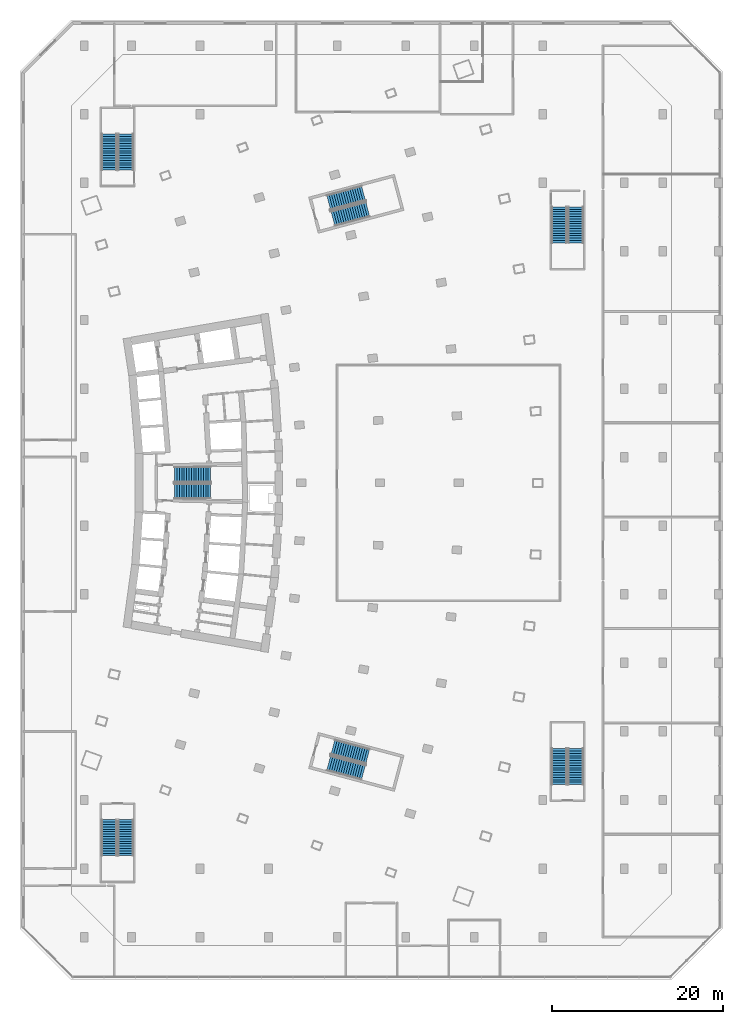
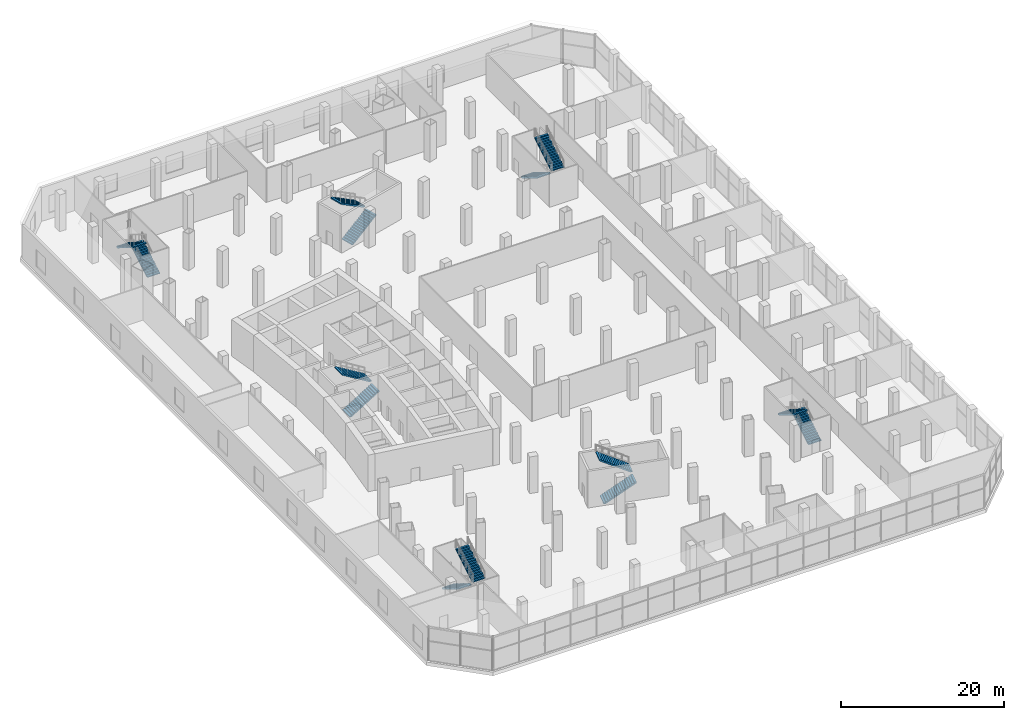
# One storey, part 19 of 26: 14 stair flights, 7 elements without a shape of their own.
"""IFC4 building model written with IfcOpenShell, lengths in metres."""

from ifc_helpers import new_model, si_unit, direction, frame, origin, place, context, subcontext, project, spatial, polyline, outline, extrude, material, layer, layer_set, type_object, element, aggregate, save


model = new_model("IFC4")

# Units and contexts
model_context = context("Model", 3, precision=1e-05, world=origin(), true_north=direction((0.0, 1.0)))
body_context = subcontext(model_context, "Body", "Model", "MODEL_VIEW")
ifc_project = project(units=[si_unit("LENGTHUNIT", "METRE"), si_unit("AREAUNIT", "SQUARE_METRE"), si_unit("VOLUMEUNIT", "CUBIC_METRE"), si_unit("PLANEANGLEUNIT", "RADIAN"), si_unit("MASSUNIT", "GRAM", prefix="KILO")], contexts=[model_context])

# Site, building, storey
site_placement = place(None, origin())
site = spatial("IfcSite", under=ifc_project, at=site_placement, CompositionType="ELEMENT")
building_placement = place(site_placement, origin())
building = spatial("IfcBuilding", under=site, at=building_placement, Name="Alderwake Tower", CompositionType="ELEMENT")
storey_placement = place(building_placement, frame((0.0, 0.0, 8.0)))
storey = spatial("IfcBuildingStorey", under=building, at=storey_placement, Name="L01", CompositionType="ELEMENT", Elevation=8.0)

# Stair, stair flights
ifc_material_1 = material(Name="Concrete C40/50", Category="concrete")
stair_type_1 = type_object("IfcStairType", Name="Core exit stair", PredefinedType="HALF_TURN_STAIR", material=ifc_material_1)
stair_1_placement = place(storey_placement, origin())
stair_1 = element("IfcStair", 1, at=stair_1_placement, inside=storey, type_object=stair_type_1, Name="L01 Exit Stair B", PredefinedType="HALF_TURN_STAIR")
ifc_material_2 = material(Name="Concrete C40/50", Category="concrete")
ifc_layer = layer(ifc_material_2, 0.14990234375)
ifc_layer_set = layer_set([ifc_layer], Name="Core stair flight")
stair_flight_type = type_object("IfcStairFlightType", Name="Core stair flight", PredefinedType="STRAIGHT", material=ifc_layer_set)
stair_flight_1_placement = place(storey_placement, frame((21.0400390625, 60.02490234375, 0.0), z_axis=(0.0, 0.0, 1.0), x_axis=(1.0, 0.0, 0.0)))
stair_flight_1 = element("IfcStairFlight", 2, at=stair_flight_1_placement, type_object=stair_flight_type, Name="ST-B flight 1", NumberOfRisers=16, NumberOfTreads=15, PredefinedType="STRAIGHT", RiserHeight=0.171875, TreadLength=0.28, context=body_context, shape_type="SweptSolid", body=[
    extrude(outline(polyline([(0.0, 0.0), (0.0, 0.171875), (0.280029296875, 0.171875), (0.280029296875, 0.34375), (0.56005859375, 0.34375), (0.56005859375, 0.515625), (0.840087890625, 0.515625), (0.840087890625, 0.6875), (1.1201171875, 0.6875), (1.1201171875, 0.859375), (1.39990234375, 0.859375), (1.39990234375, 1.03125), (1.679931640625, 1.03125), (1.679931640625, 1.203125), (1.9599609375, 1.203125), (1.9599609375, 1.375), (2.239990234375, 1.375), (2.239990234375, 1.546875), (2.52001953125, 1.546875), (2.52001953125, 1.71875), (2.800048828125, 1.71875), (2.800048828125, 1.890625), (3.080078125, 1.890625), (3.080078125, 2.0625), (3.360107421875, 2.0625), (3.360107421875, 2.234375), (3.639892578125, 2.234375), (3.639892578125, 2.40625), (3.919921875, 2.40625), (3.919921875, 2.578125), (4.199951171875, 2.578125), (4.199951171875, 2.75), (4.199951171875, 2.40234375), (0.28662109375, 0.0), (0.0, 0.0)])), frame((0.0, 0.89990234375, 0.0), z_axis=(0.0, -1.0, 0.0), x_axis=(1.0, 0.0, 0.0)), (0.0, 0.0, 1.0), 1.800048828125),
])
stair_flight_2_placement = place(storey_placement, frame((25.239990234375, 61.97509765625, 2.75), z_axis=(0.0, 0.0, 1.0), x_axis=(-1.0, 0.0, 0.0)))
stair_flight_2 = element("IfcStairFlight", 3, at=stair_flight_2_placement, type_object=stair_flight_type, Name="ST-B flight 2", NumberOfRisers=16, NumberOfTreads=15, PredefinedType="STRAIGHT", RiserHeight=0.171875, TreadLength=0.28, context=body_context, shape_type="SweptSolid", body=[
    extrude(outline(polyline([(0.0, 0.0), (0.0, 0.171875), (0.280029296875, 0.171875), (0.280029296875, 0.34375), (0.56005859375, 0.34375), (0.56005859375, 0.515625), (0.840087890625, 0.515625), (0.840087890625, 0.6875), (1.1201171875, 0.6875), (1.1201171875, 0.859375), (1.39990234375, 0.859375), (1.39990234375, 1.03125), (1.679931640625, 1.03125), (1.679931640625, 1.203125), (1.9599609375, 1.203125), (1.9599609375, 1.375), (2.239990234375, 1.375), (2.239990234375, 1.546875), (2.52001953125, 1.546875), (2.52001953125, 1.71875), (2.800048828125, 1.71875), (2.800048828125, 1.890625), (3.080078125, 1.890625), (3.080078125, 2.0625), (3.360107421875, 2.0625), (3.360107421875, 2.234375), (3.639892578125, 2.234375), (3.639892578125, 2.40625), (3.919921875, 2.40625), (3.919921875, 2.578125), (4.199951171875, 2.578125), (4.199951171875, 2.75), (4.199951171875, 2.40234375), (0.28662109375, 0.0), (0.0, 0.0)])), frame((0.0, 0.89990234375, 0.0), z_axis=(0.0, -1.0, 0.0), x_axis=(1.0, 0.0, 0.0)), (0.0, 0.0, 1.0), 1.800048828125),
])
aggregate(stair_1, [stair_flight_1, stair_flight_2])

stair_2_placement = place(storey_placement, origin())
stair_2 = element("IfcStair", 4, at=stair_2_placement, inside=storey, type_object=stair_type_1, Name="L01 Exit Stair A", PredefinedType="HALF_TURN_STAIR")
stair_flight_3_placement = place(storey_placement, frame((39.512939453125, 91.823974609375, 0.0), z_axis=(0.0, 0.0, 1.0), x_axis=(0.966309627437, 0.257382407951, 0.0)))
stair_flight_3 = element("IfcStairFlight", 5, at=stair_flight_3_placement, type_object=stair_flight_type, Name="ST-A flight 1", NumberOfRisers=16, NumberOfTreads=15, PredefinedType="STRAIGHT", RiserHeight=0.171875, TreadLength=0.28, context=body_context, shape_type="SweptSolid", body=[
    extrude(outline(polyline([(0.0, 0.0), (0.0, 0.171875), (0.280029296875, 0.171875), (0.280029296875, 0.34375), (0.56005859375, 0.34375), (0.56005859375, 0.515625), (0.840087890625, 0.515625), (0.840087890625, 0.6875), (1.1201171875, 0.6875), (1.1201171875, 0.859375), (1.39990234375, 0.859375), (1.39990234375, 1.03125), (1.679931640625, 1.03125), (1.679931640625, 1.203125), (1.9599609375, 1.203125), (1.9599609375, 1.375), (2.239990234375, 1.375), (2.239990234375, 1.546875), (2.52001953125, 1.546875), (2.52001953125, 1.71875), (2.800048828125, 1.71875), (2.800048828125, 1.890625), (3.080078125, 1.890625), (3.080078125, 2.0625), (3.360107421875, 2.0625), (3.360107421875, 2.234375), (3.639892578125, 2.234375), (3.639892578125, 2.40625), (3.919921875, 2.40625), (3.919921875, 2.578125), (4.199951171875, 2.578125), (4.199951171875, 2.75), (4.199951171875, 2.40234375), (0.28662109375, 0.0), (0.0, 0.0)])), frame((0.0, 0.89990234375, 0.0), z_axis=(0.0, -1.0, 0.0), x_axis=(1.0, 0.0, 0.0)), (0.0, 0.0, 1.0), 1.800048828125),
])
stair_flight_4_placement = place(storey_placement, frame((43.069580078125, 94.789306640625, 2.75), z_axis=(0.0, 0.0, 1.0), x_axis=(-0.966309627437, -0.257382407951, 0.0)))
stair_flight_4 = element("IfcStairFlight", 6, at=stair_flight_4_placement, type_object=stair_flight_type, Name="ST-A flight 2", NumberOfRisers=16, NumberOfTreads=15, PredefinedType="STRAIGHT", RiserHeight=0.171875, TreadLength=0.28, context=body_context, shape_type="SweptSolid", body=[
    extrude(outline(polyline([(0.0, 0.0), (0.0, 0.171875), (0.280029296875, 0.171875), (0.280029296875, 0.34375), (0.56005859375, 0.34375), (0.56005859375, 0.515625), (0.840087890625, 0.515625), (0.840087890625, 0.6875), (1.1201171875, 0.6875), (1.1201171875, 0.859375), (1.39990234375, 0.859375), (1.39990234375, 1.03125), (1.679931640625, 1.03125), (1.679931640625, 1.203125), (1.9599609375, 1.203125), (1.9599609375, 1.375), (2.239990234375, 1.375), (2.239990234375, 1.546875), (2.52001953125, 1.546875), (2.52001953125, 1.71875), (2.800048828125, 1.71875), (2.800048828125, 1.890625), (3.080078125, 1.890625), (3.080078125, 2.0625), (3.360107421875, 2.0625), (3.360107421875, 2.234375), (3.639892578125, 2.234375), (3.639892578125, 2.40625), (3.919921875, 2.40625), (3.919921875, 2.578125), (4.199951171875, 2.578125), (4.199951171875, 2.75), (4.199951171875, 2.40234375), (0.28662109375, 0.0), (0.0, 0.0)])), frame((0.0, 0.89990234375, 0.0), z_axis=(0.0, -1.0, 0.0), x_axis=(1.0, 0.0, 0.0)), (0.0, 0.0, 1.0), 1.800048828125),
])
aggregate(stair_2, [stair_flight_3, stair_flight_4])

stair_3_placement = place(storey_placement, origin())
stair_3 = element("IfcStair", 7, at=stair_3_placement, inside=storey, type_object=stair_type_1, Name="L01 Exit Stair C", PredefinedType="HALF_TURN_STAIR")
stair_flight_5_placement = place(storey_placement, frame((39.010986328125, 28.291748046875, 0.0), z_axis=(0.0, 0.0, 1.0), x_axis=(0.966309627437, -0.257382407951, 0.0)))
stair_flight_5 = element("IfcStairFlight", 8, at=stair_flight_5_placement, type_object=stair_flight_type, Name="ST-C flight 1", NumberOfRisers=16, NumberOfTreads=15, PredefinedType="STRAIGHT", RiserHeight=0.171875, TreadLength=0.28, context=body_context, shape_type="SweptSolid", body=[
    extrude(outline(polyline([(0.0, 0.0), (0.0, 0.171875), (0.280029296875, 0.171875), (0.280029296875, 0.34375), (0.56005859375, 0.34375), (0.56005859375, 0.515625), (0.840087890625, 0.515625), (0.840087890625, 0.6875), (1.1201171875, 0.6875), (1.1201171875, 0.859375), (1.39990234375, 0.859375), (1.39990234375, 1.03125), (1.679931640625, 1.03125), (1.679931640625, 1.203125), (1.9599609375, 1.203125), (1.9599609375, 1.375), (2.239990234375, 1.375), (2.239990234375, 1.546875), (2.52001953125, 1.546875), (2.52001953125, 1.71875), (2.800048828125, 1.71875), (2.800048828125, 1.890625), (3.080078125, 1.890625), (3.080078125, 2.0625), (3.360107421875, 2.0625), (3.360107421875, 2.234375), (3.639892578125, 2.234375), (3.639892578125, 2.40625), (3.919921875, 2.40625), (3.919921875, 2.578125), (4.199951171875, 2.578125), (4.199951171875, 2.75), (4.199951171875, 2.40234375), (0.28662109375, 0.0), (0.0, 0.0)])), frame((0.0, 0.89990234375, 0.0), z_axis=(0.0, -1.0, 0.0), x_axis=(1.0, 0.0, 0.0)), (0.0, 0.0, 1.0), 1.800048828125),
])
stair_flight_6_placement = place(storey_placement, frame((43.5712890625, 29.094970703125, 2.75), z_axis=(0.0, 0.0, 1.0), x_axis=(-0.966309627437, 0.257382407951, 0.0)))
stair_flight_6 = element("IfcStairFlight", 9, at=stair_flight_6_placement, type_object=stair_flight_type, Name="ST-C flight 2", NumberOfRisers=16, NumberOfTreads=15, PredefinedType="STRAIGHT", RiserHeight=0.171875, TreadLength=0.28, context=body_context, shape_type="SweptSolid", body=[
    extrude(outline(polyline([(0.0, 0.0), (0.0, 0.171875), (0.280029296875, 0.171875), (0.280029296875, 0.34375), (0.56005859375, 0.34375), (0.56005859375, 0.515625), (0.840087890625, 0.515625), (0.840087890625, 0.6875), (1.1201171875, 0.6875), (1.1201171875, 0.859375), (1.39990234375, 0.859375), (1.39990234375, 1.03125), (1.679931640625, 1.03125), (1.679931640625, 1.203125), (1.9599609375, 1.203125), (1.9599609375, 1.375), (2.239990234375, 1.375), (2.239990234375, 1.546875), (2.52001953125, 1.546875), (2.52001953125, 1.71875), (2.800048828125, 1.71875), (2.800048828125, 1.890625), (3.080078125, 1.890625), (3.080078125, 2.0625), (3.360107421875, 2.0625), (3.360107421875, 2.234375), (3.639892578125, 2.234375), (3.639892578125, 2.40625), (3.919921875, 2.40625), (3.919921875, 2.578125), (4.199951171875, 2.578125), (4.199951171875, 2.75), (4.199951171875, 2.40234375), (0.28662109375, 0.0), (0.0, 0.0)])), frame((0.0, 0.89990234375, 0.0), z_axis=(0.0, -1.0, 0.0), x_axis=(1.0, 0.0, 0.0)), (0.0, 0.0, 1.0), 1.800048828125),
])
aggregate(stair_3, [stair_flight_5, stair_flight_6])

ifc_material_3 = material(Name="Concrete C40/50", Category="concrete")
stair_type_2 = type_object("IfcStairType", Name="Exit stair 1800 half-turn", PredefinedType="HALF_TURN_STAIR", material=ifc_material_3)
stair_4_placement = place(storey_placement, origin())
stair_4 = element("IfcStair", 10, at=stair_4_placement, inside=storey, type_object=stair_type_2, Name="L01 Podium stair P1", PredefinedType="HALF_TURN_STAIR")
stair_flight_7_placement = place(storey_placement, frame((13.39990234375, 21.699951171875, 0.0), z_axis=(0.0, 0.0, 1.0), x_axis=(0.0, -1.0, 0.0)))
stair_flight_7 = element("IfcStairFlight", 11, at=stair_flight_7_placement, type_object=stair_flight_type, Name="ST-P1 flight 1", NumberOfRisers=16, NumberOfTreads=15, PredefinedType="STRAIGHT", RiserHeight=0.171875, TreadLength=0.28, context=body_context, shape_type="SweptSolid", body=[
    extrude(outline(polyline([(0.0, 0.0), (0.0, 0.171875), (0.280029296875, 0.171875), (0.280029296875, 0.34375), (0.56005859375, 0.34375), (0.56005859375, 0.515625), (0.840087890625, 0.515625), (0.840087890625, 0.6875), (1.1201171875, 0.6875), (1.1201171875, 0.859375), (1.39990234375, 0.859375), (1.39990234375, 1.03125), (1.679931640625, 1.03125), (1.679931640625, 1.203125), (1.9599609375, 1.203125), (1.9599609375, 1.375), (2.239990234375, 1.375), (2.239990234375, 1.546875), (2.52001953125, 1.546875), (2.52001953125, 1.71875), (2.800048828125, 1.71875), (2.800048828125, 1.890625), (3.080078125, 1.890625), (3.080078125, 2.0625), (3.360107421875, 2.0625), (3.360107421875, 2.234375), (3.639892578125, 2.234375), (3.639892578125, 2.40625), (3.919921875, 2.40625), (3.919921875, 2.578125), (4.199951171875, 2.578125), (4.199951171875, 2.75), (4.199951171875, 2.40234375), (0.28662109375, 0.0), (0.0, 0.0)])), frame((0.0, 0.89990234375, 0.0), z_axis=(0.0, -1.0, 0.0), x_axis=(1.0, 0.0, 0.0)), (0.0, 0.0, 1.0), 1.800048828125),
])
stair_flight_8_placement = place(storey_placement, frame((15.35009765625, 17.5, 2.75), z_axis=(0.0, 0.0, 1.0), x_axis=(0.0, 1.0, 0.0)))
stair_flight_8 = element("IfcStairFlight", 12, at=stair_flight_8_placement, type_object=stair_flight_type, Name="ST-P1 flight 2", NumberOfRisers=16, NumberOfTreads=15, PredefinedType="STRAIGHT", RiserHeight=0.171875, TreadLength=0.28, context=body_context, shape_type="SweptSolid", body=[
    extrude(outline(polyline([(0.0, 0.0), (0.0, 0.171875), (0.280029296875, 0.171875), (0.280029296875, 0.34375), (0.56005859375, 0.34375), (0.56005859375, 0.515625), (0.840087890625, 0.515625), (0.840087890625, 0.6875), (1.1201171875, 0.6875), (1.1201171875, 0.859375), (1.39990234375, 0.859375), (1.39990234375, 1.03125), (1.679931640625, 1.03125), (1.679931640625, 1.203125), (1.9599609375, 1.203125), (1.9599609375, 1.375), (2.239990234375, 1.375), (2.239990234375, 1.546875), (2.52001953125, 1.546875), (2.52001953125, 1.71875), (2.800048828125, 1.71875), (2.800048828125, 1.890625), (3.080078125, 1.890625), (3.080078125, 2.0625), (3.360107421875, 2.0625), (3.360107421875, 2.234375), (3.639892578125, 2.234375), (3.639892578125, 2.40625), (3.919921875, 2.40625), (3.919921875, 2.578125), (4.199951171875, 2.578125), (4.199951171875, 2.75), (4.199951171875, 2.40234375), (0.28662109375, 0.0), (0.0, 0.0)])), frame((0.0, 0.89990234375, 0.0), z_axis=(0.0, -1.0, 0.0), x_axis=(1.0, 0.0, 0.0)), (0.0, 0.0, 1.0), 1.800048828125),
])
aggregate(stair_4, [stair_flight_7, stair_flight_8])

stair_5_placement = place(storey_placement, origin())
stair_5 = element("IfcStair", 13, at=stair_5_placement, inside=storey, type_object=stair_type_2, Name="L01 Podium stair P2", PredefinedType="HALF_TURN_STAIR")
stair_flight_9_placement = place(storey_placement, frame((15.35009765625, 97.5, 0.0), z_axis=(0.0, 0.0, 1.0), x_axis=(0.0, 1.0, 0.0)))
stair_flight_9 = element("IfcStairFlight", 14, at=stair_flight_9_placement, type_object=stair_flight_type, Name="ST-P2 flight 1", NumberOfRisers=16, NumberOfTreads=15, PredefinedType="STRAIGHT", RiserHeight=0.171875, TreadLength=0.28, context=body_context, shape_type="SweptSolid", body=[
    extrude(outline(polyline([(0.0, 0.0), (0.0, 0.171875), (0.280029296875, 0.171875), (0.280029296875, 0.34375), (0.56005859375, 0.34375), (0.56005859375, 0.515625), (0.840087890625, 0.515625), (0.840087890625, 0.6875), (1.1201171875, 0.6875), (1.1201171875, 0.859375), (1.39990234375, 0.859375), (1.39990234375, 1.03125), (1.679931640625, 1.03125), (1.679931640625, 1.203125), (1.9599609375, 1.203125), (1.9599609375, 1.375), (2.239990234375, 1.375), (2.239990234375, 1.546875), (2.52001953125, 1.546875), (2.52001953125, 1.71875), (2.800048828125, 1.71875), (2.800048828125, 1.890625), (3.080078125, 1.890625), (3.080078125, 2.0625), (3.360107421875, 2.0625), (3.360107421875, 2.234375), (3.639892578125, 2.234375), (3.639892578125, 2.40625), (3.919921875, 2.40625), (3.919921875, 2.578125), (4.199951171875, 2.578125), (4.199951171875, 2.75), (4.199951171875, 2.40234375), (0.28662109375, 0.0), (0.0, 0.0)])), frame((0.0, 0.89990234375, 0.0), z_axis=(0.0, -1.0, 0.0), x_axis=(1.0, 0.0, 0.0)), (0.0, 0.0, 1.0), 1.800048828125),
])
stair_flight_10_placement = place(storey_placement, frame((13.39990234375, 101.699951171875, 2.75), z_axis=(0.0, 0.0, 1.0), x_axis=(0.0, -1.0, 0.0)))
stair_flight_10 = element("IfcStairFlight", 15, at=stair_flight_10_placement, type_object=stair_flight_type, Name="ST-P2 flight 2", NumberOfRisers=16, NumberOfTreads=15, PredefinedType="STRAIGHT", RiserHeight=0.171875, TreadLength=0.28, context=body_context, shape_type="SweptSolid", body=[
    extrude(outline(polyline([(0.0, 0.0), (0.0, 0.171875), (0.280029296875, 0.171875), (0.280029296875, 0.34375), (0.56005859375, 0.34375), (0.56005859375, 0.515625), (0.840087890625, 0.515625), (0.840087890625, 0.6875), (1.1201171875, 0.6875), (1.1201171875, 0.859375), (1.39990234375, 0.859375), (1.39990234375, 1.03125), (1.679931640625, 1.03125), (1.679931640625, 1.203125), (1.9599609375, 1.203125), (1.9599609375, 1.375), (2.239990234375, 1.375), (2.239990234375, 1.546875), (2.52001953125, 1.546875), (2.52001953125, 1.71875), (2.800048828125, 1.71875), (2.800048828125, 1.890625), (3.080078125, 1.890625), (3.080078125, 2.0625), (3.360107421875, 2.0625), (3.360107421875, 2.234375), (3.639892578125, 2.234375), (3.639892578125, 2.40625), (3.919921875, 2.40625), (3.919921875, 2.578125), (4.199951171875, 2.578125), (4.199951171875, 2.75), (4.199951171875, 2.40234375), (0.28662109375, 0.0), (0.0, 0.0)])), frame((0.0, 0.89990234375, 0.0), z_axis=(0.0, -1.0, 0.0), x_axis=(1.0, 0.0, 0.0)), (0.0, 0.0, 1.0), 1.800048828125),
])
aggregate(stair_5, [stair_flight_9, stair_flight_10])

stair_6_placement = place(storey_placement, origin())
stair_6 = element("IfcStair", 16, at=stair_6_placement, inside=storey, type_object=stair_type_2, Name="L01 Podium stair P3", PredefinedType="HALF_TURN_STAIR")
stair_flight_11_placement = place(storey_placement, frame((65.89990234375, 93.199951171875, 0.0), z_axis=(0.0, 0.0, 1.0), x_axis=(0.0, -1.0, 0.0)))
stair_flight_11 = element("IfcStairFlight", 17, at=stair_flight_11_placement, type_object=stair_flight_type, Name="ST-P3 flight 1", NumberOfRisers=16, NumberOfTreads=15, PredefinedType="STRAIGHT", RiserHeight=0.171875, TreadLength=0.28, context=body_context, shape_type="SweptSolid", body=[
    extrude(outline(polyline([(0.0, 0.0), (0.0, 0.171875), (0.280029296875, 0.171875), (0.280029296875, 0.34375), (0.56005859375, 0.34375), (0.56005859375, 0.515625), (0.840087890625, 0.515625), (0.840087890625, 0.6875), (1.1201171875, 0.6875), (1.1201171875, 0.859375), (1.39990234375, 0.859375), (1.39990234375, 1.03125), (1.679931640625, 1.03125), (1.679931640625, 1.203125), (1.9599609375, 1.203125), (1.9599609375, 1.375), (2.239990234375, 1.375), (2.239990234375, 1.546875), (2.52001953125, 1.546875), (2.52001953125, 1.71875), (2.800048828125, 1.71875), (2.800048828125, 1.890625), (3.080078125, 1.890625), (3.080078125, 2.0625), (3.360107421875, 2.0625), (3.360107421875, 2.234375), (3.639892578125, 2.234375), (3.639892578125, 2.40625), (3.919921875, 2.40625), (3.919921875, 2.578125), (4.199951171875, 2.578125), (4.199951171875, 2.75), (4.199951171875, 2.40234375), (0.28662109375, 0.0), (0.0, 0.0)])), frame((0.0, 0.89990234375, 0.0), z_axis=(0.0, -1.0, 0.0), x_axis=(1.0, 0.0, 0.0)), (0.0, 0.0, 1.0), 1.800048828125),
])
stair_flight_12_placement = place(storey_placement, frame((67.85009765625, 89.0, 2.75), z_axis=(0.0, 0.0, 1.0), x_axis=(0.0, 1.0, 0.0)))
stair_flight_12 = element("IfcStairFlight", 18, at=stair_flight_12_placement, type_object=stair_flight_type, Name="ST-P3 flight 2", NumberOfRisers=16, NumberOfTreads=15, PredefinedType="STRAIGHT", RiserHeight=0.171875, TreadLength=0.28, context=body_context, shape_type="SweptSolid", body=[
    extrude(outline(polyline([(0.0, 0.0), (0.0, 0.171875), (0.280029296875, 0.171875), (0.280029296875, 0.34375), (0.56005859375, 0.34375), (0.56005859375, 0.515625), (0.840087890625, 0.515625), (0.840087890625, 0.6875), (1.1201171875, 0.6875), (1.1201171875, 0.859375), (1.39990234375, 0.859375), (1.39990234375, 1.03125), (1.679931640625, 1.03125), (1.679931640625, 1.203125), (1.9599609375, 1.203125), (1.9599609375, 1.375), (2.239990234375, 1.375), (2.239990234375, 1.546875), (2.52001953125, 1.546875), (2.52001953125, 1.71875), (2.800048828125, 1.71875), (2.800048828125, 1.890625), (3.080078125, 1.890625), (3.080078125, 2.0625), (3.360107421875, 2.0625), (3.360107421875, 2.234375), (3.639892578125, 2.234375), (3.639892578125, 2.40625), (3.919921875, 2.40625), (3.919921875, 2.578125), (4.199951171875, 2.578125), (4.199951171875, 2.75), (4.199951171875, 2.40234375), (0.28662109375, 0.0), (0.0, 0.0)])), frame((0.0, 0.89990234375, 0.0), z_axis=(0.0, -1.0, 0.0), x_axis=(1.0, 0.0, 0.0)), (0.0, 0.0, 1.0), 1.800048828125),
])
aggregate(stair_6, [stair_flight_11, stair_flight_12])

stair_7_placement = place(storey_placement, origin())
stair_7 = element("IfcStair", 19, at=stair_7_placement, inside=storey, type_object=stair_type_2, Name="L01 Podium stair P4", PredefinedType="HALF_TURN_STAIR")
stair_flight_13_placement = place(storey_placement, frame((67.85009765625, 25.800048828125, 0.0), z_axis=(0.0, 0.0, 1.0), x_axis=(0.0, 1.0, 0.0)))
stair_flight_13 = element("IfcStairFlight", 20, at=stair_flight_13_placement, type_object=stair_flight_type, Name="ST-P4 flight 1", NumberOfRisers=16, NumberOfTreads=15, PredefinedType="STRAIGHT", RiserHeight=0.171875, TreadLength=0.28, context=body_context, shape_type="SweptSolid", body=[
    extrude(outline(polyline([(0.0, 0.0), (0.0, 0.171875), (0.280029296875, 0.171875), (0.280029296875, 0.34375), (0.56005859375, 0.34375), (0.56005859375, 0.515625), (0.840087890625, 0.515625), (0.840087890625, 0.6875), (1.1201171875, 0.6875), (1.1201171875, 0.859375), (1.39990234375, 0.859375), (1.39990234375, 1.03125), (1.679931640625, 1.03125), (1.679931640625, 1.203125), (1.9599609375, 1.203125), (1.9599609375, 1.375), (2.239990234375, 1.375), (2.239990234375, 1.546875), (2.52001953125, 1.546875), (2.52001953125, 1.71875), (2.800048828125, 1.71875), (2.800048828125, 1.890625), (3.080078125, 1.890625), (3.080078125, 2.0625), (3.360107421875, 2.0625), (3.360107421875, 2.234375), (3.639892578125, 2.234375), (3.639892578125, 2.40625), (3.919921875, 2.40625), (3.919921875, 2.578125), (4.199951171875, 2.578125), (4.199951171875, 2.75), (4.199951171875, 2.40234375), (0.28662109375, 0.0), (0.0, 0.0)])), frame((0.0, 0.89990234375, 0.0), z_axis=(0.0, -1.0, 0.0), x_axis=(1.0, 0.0, 0.0)), (0.0, 0.0, 1.0), 1.800048828125),
])
stair_flight_14_placement = place(storey_placement, frame((65.89990234375, 30.0, 2.75), z_axis=(0.0, 0.0, 1.0), x_axis=(0.0, -1.0, 0.0)))
stair_flight_14 = element("IfcStairFlight", 21, at=stair_flight_14_placement, type_object=stair_flight_type, Name="ST-P4 flight 2", NumberOfRisers=16, NumberOfTreads=15, PredefinedType="STRAIGHT", RiserHeight=0.171875, TreadLength=0.28, context=body_context, shape_type="SweptSolid", body=[
    extrude(outline(polyline([(0.0, 0.0), (0.0, 0.171875), (0.280029296875, 0.171875), (0.280029296875, 0.34375), (0.56005859375, 0.34375), (0.56005859375, 0.515625), (0.840087890625, 0.515625), (0.840087890625, 0.6875), (1.1201171875, 0.6875), (1.1201171875, 0.859375), (1.39990234375, 0.859375), (1.39990234375, 1.03125), (1.679931640625, 1.03125), (1.679931640625, 1.203125), (1.9599609375, 1.203125), (1.9599609375, 1.375), (2.239990234375, 1.375), (2.239990234375, 1.546875), (2.52001953125, 1.546875), (2.52001953125, 1.71875), (2.800048828125, 1.71875), (2.800048828125, 1.890625), (3.080078125, 1.890625), (3.080078125, 2.0625), (3.360107421875, 2.0625), (3.360107421875, 2.234375), (3.639892578125, 2.234375), (3.639892578125, 2.40625), (3.919921875, 2.40625), (3.919921875, 2.578125), (4.199951171875, 2.578125), (4.199951171875, 2.75), (4.199951171875, 2.40234375), (0.28662109375, 0.0), (0.0, 0.0)])), frame((0.0, 0.89990234375, 0.0), z_axis=(0.0, -1.0, 0.0), x_axis=(1.0, 0.0, 0.0)), (0.0, 0.0, 1.0), 1.800048828125),
])
aggregate(stair_7, [stair_flight_13, stair_flight_14])

save(model, "model.ifc")
